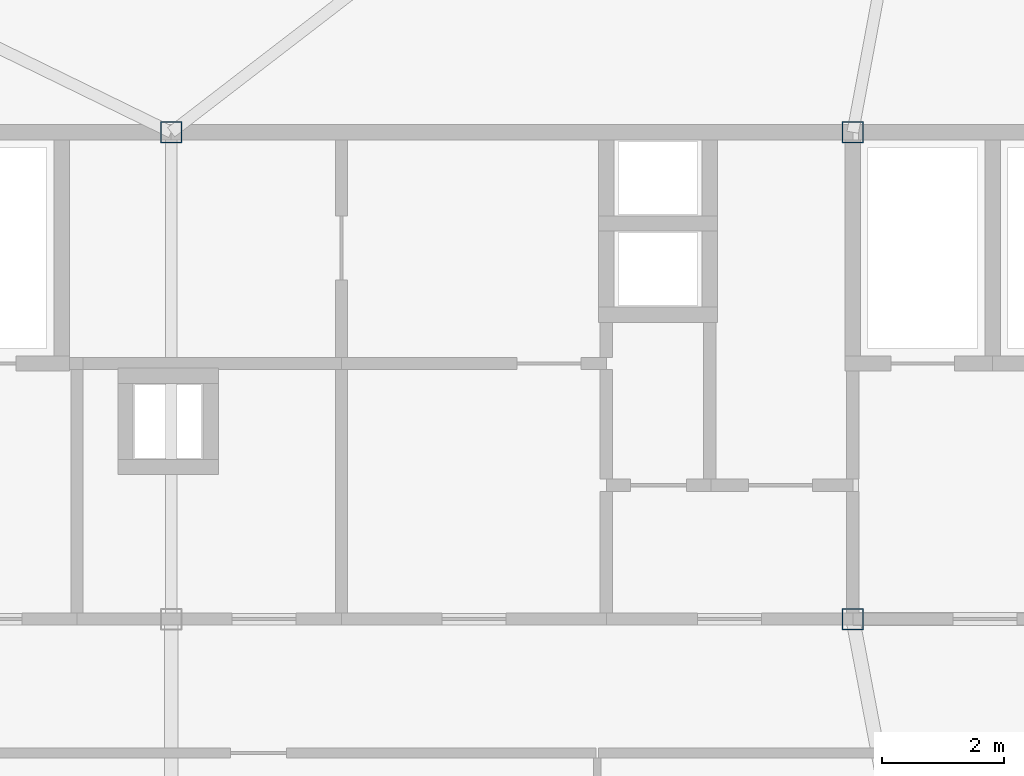
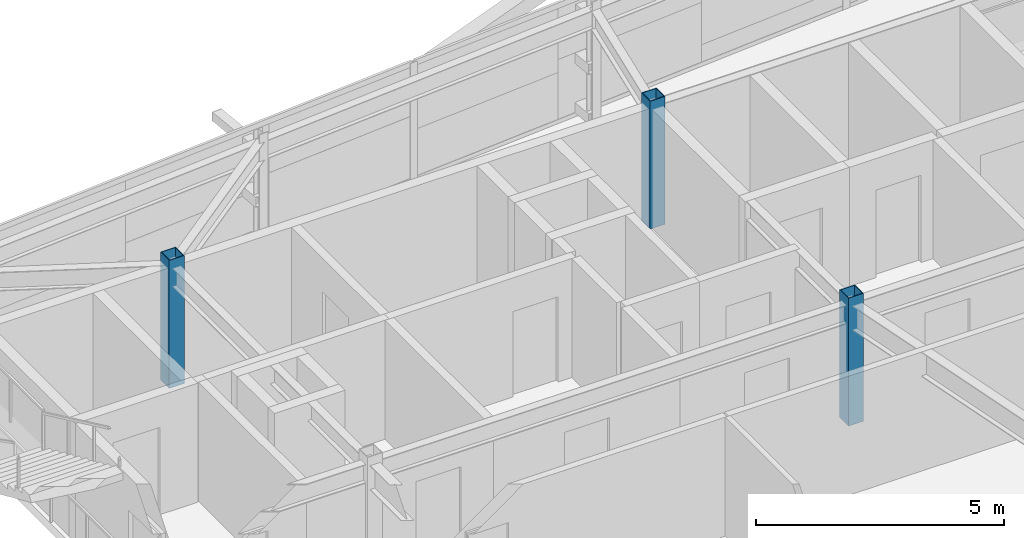
# One storey, part 3 of 39: 3 columns.
"""IFC4 building model written with IfcOpenShell, lengths in metres."""

from ifc_helpers import new_model, si_unit, direction, frame, origin, origin_2d, place, context, subcontext, project, spatial, hollow_rectangle, extrude, source, transform, mapped, material, material_profile, profile_set, type_object, element, save


model = new_model("IFC4")

# Units and contexts
model_context = context("Model", 3, precision=1e-05, world=origin(), true_north=direction((0.0, 1.0)))
body_context = subcontext(model_context, "Body", "Model", "MODEL_VIEW")
ifc_project = project(units=[si_unit("LENGTHUNIT", "METRE"), si_unit("AREAUNIT", "SQUARE_METRE"), si_unit("VOLUMEUNIT", "CUBIC_METRE"), si_unit("PLANEANGLEUNIT", "RADIAN"), si_unit("MASSUNIT", "GRAM", prefix="KILO")], contexts=[model_context])

# Site, building, storey
site_placement = place(None, origin())
site = spatial("IfcSite", under=ifc_project, at=site_placement, CompositionType="ELEMENT")
building_placement = place(site_placement, origin())
building = spatial("IfcBuilding", under=site, at=building_placement, Name="Taldren Reach Tower", CompositionType="ELEMENT")
storey_placement = place(building_placement, frame((0.0, 0.0, 197.75)))
storey = spatial("IfcBuildingStorey", under=building, at=storey_placement, Name="L60", CompositionType="ELEMENT", Elevation=197.75)

# Columns
ifc_material = material(Name="Steel Gr 450 (C450L0)", Category="steel")
ifc_material_profile = material_profile(ifc_material, hollow_rectangle(XDim=0.35009765625, YDim=0.35009765625, WallThickness=0.01611328125, at=origin_2d()), Name="350x350x16.0SHS")
ifc_profile_set = profile_set([ifc_material_profile], Name="Steel Gr 450 (C450L0)")
column_type = type_object("IfcColumnType", Name="COL-SHS350", PredefinedType="COLUMN", material=ifc_profile_set)
shared_shape = source(origin(), body_context, "Body", "SweptSolid", [
    extrude(hollow_rectangle(XDim=0.35009765625, YDim=0.35009765625, WallThickness=0.01611328125, at=origin_2d()), origin(), (0.0, 0.0, 1.0), 3.14990234375),
])
for number, where, z_axis, x_axis, name in (
    (1, (39.199951171875, 24.0, 0.0), (0.0, 0.0, 1.0), (1.0, 0.0, 0.0), "Mega column MC-C3 L60"),
    (2, (28.0, 32.0, 0.0), (0.0, 0.0, 1.0), (1.0, 0.0, 0.0), "Mega column MC-C6 L60"),
    (3, (39.199951171875, 32.0, 0.0), (0.0, 0.0, 1.0), (1.0, 0.0, 0.0), "Mega column MC-C7 L60"),
):
    element("IfcColumn", number, at=place(storey_placement, frame(where, z_axis=z_axis, x_axis=x_axis)), inside=storey, type_object=column_type, Name=name, PredefinedType="COLUMN", context=body_context, shape_type="MappedRepresentation", body=[
        mapped(shared_shape, transform((0.0, 0.0, 0.0), scale=1.0)),
    ])

save(model, "model.ifc")
